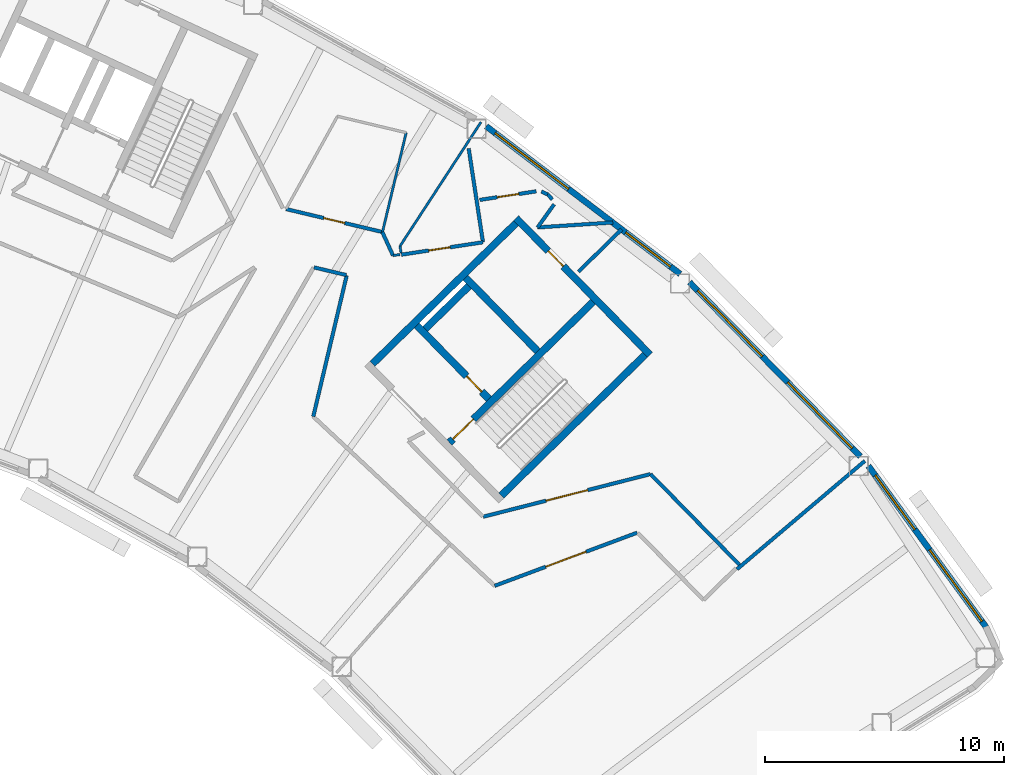
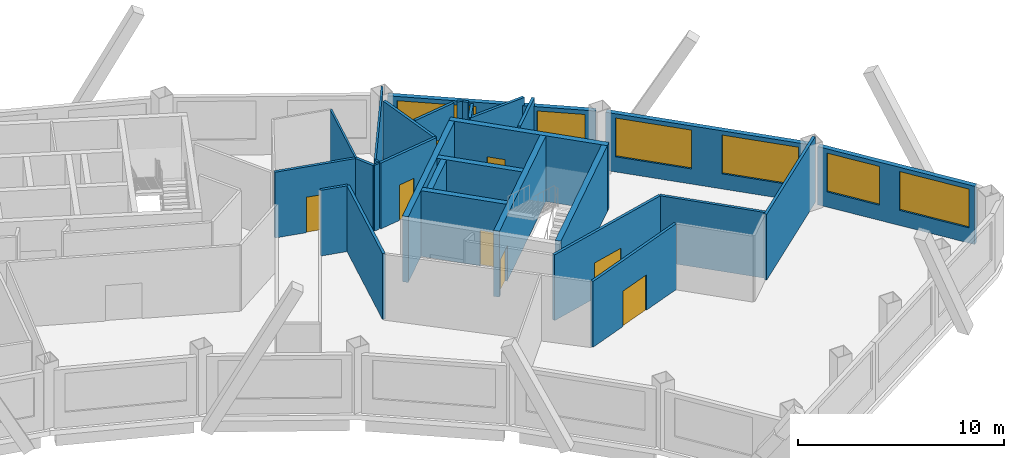
# One storey, part 8 of 13: 30 walls, 8 doors, 6 windows, 14 openings.
"""IFC4 building model written with IfcOpenShell, lengths in metres."""

from ifc_helpers import new_model, si_unit, direction, frame, frame_2d, origin, place, context, subcontext, project, spatial, rectangle, extrude, material, layer, layer_set, type_object, element, fill, save


model = new_model("IFC4")

# Units and contexts
model_context = context("Model", 3, precision=1e-05, world=origin(), true_north=direction((0.0, 1.0)))
body_context = subcontext(model_context, "Body", "Model", "MODEL_VIEW")
ifc_project = project(units=[si_unit("LENGTHUNIT", "METRE"), si_unit("AREAUNIT", "SQUARE_METRE"), si_unit("VOLUMEUNIT", "CUBIC_METRE"), si_unit("PLANEANGLEUNIT", "RADIAN"), si_unit("MASSUNIT", "GRAM", prefix="KILO")], contexts=[model_context])

# Site, building, storey
site_placement = place(None, origin())
site = spatial("IfcSite", under=ifc_project, at=site_placement, CompositionType="ELEMENT")
building_placement = place(site_placement, origin())
building = spatial("IfcBuilding", under=site, at=building_placement, Name="Tuul Gate Civic Tower", CompositionType="ELEMENT")
storey_placement = place(building_placement, frame((0.0, 0.0, 294.199951171875)))
storey = spatial("IfcBuildingStorey", under=building, at=storey_placement, Name="Level 66", CompositionType="ELEMENT", Elevation=294.199951171875)

# Wall, opening, door
ifc_material_1 = material(Name="Concrete C50/60", Category="concrete")
ifc_layer_1 = layer(ifc_material_1, 0.300048828125)
ifc_layer_set_1 = layer_set([ifc_layer_1], Name="Concrete C50/60")
wall_type_1 = type_object("IfcWallType", Name="Core wall C50/60", PredefinedType="SHEAR", material=ifc_layer_set_1)
wall_1_placement = place(storey_placement, frame((47.701904296875, -14.079833984375, 0.0), z_axis=(0.0, 0.0, 1.0), x_axis=(-0.700002721075, 0.714140175657, 0.0)))
wall_1 = element("IfcWall", 1, at=wall_1_placement, inside=storey, type_object=wall_type_1, Name="Core wall", PredefinedType="SHEAR", context=body_context, shape_type="SweptSolid", body=[
    extrude(rectangle(XDim=4.300048828125, YDim=0.300048828125, at=frame_2d((2.14990234375, 0.0))), origin(), (0.0, 0.0, 1.0), 3.900146484375),
])
opening_1_placement = place(wall_1_placement, frame((0.425048828125, 0.0, 0.0)))
opening_1 = element("IfcOpeningElement", 2, at=opening_1_placement, cuts=wall_1, Name="Opening FB-E1A1", PredefinedType="OPENING", context=body_context, shape_type="SweptSolid", body=[
    extrude(rectangle(XDim=0.89990234375, YDim=2.10009765625, at=frame_2d((0.449951171875, 1.050048828125))), frame((0.0, 0.16015625, 0.0), z_axis=(0.0, -1.0, 0.0), x_axis=(1.0, 0.0, 0.0)), (0.0, 0.0, 1.0), 0.320068359375),
])
ifc_material_2 = material(Name="Steel", Category="steel")
door_type_1 = type_object("IfcDoorType", Name="Store door", OperationType="NOTDEFINED", PredefinedType="DOOR", material=ifc_material_2)
door_1_placement = place(opening_1_placement, frame((0.89990234375, 0.0, 0.0), z_axis=(0.0, 0.0, 1.0), x_axis=(-1.0, 0.0, 0.0)))
door_1 = element("IfcDoor", 3, at=door_1_placement, inside=storey, type_object=door_type_1, Name="Store door E1A1", OperationType="SINGLE_SWING_RIGHT", OverallHeight=2.10009765625, OverallWidth=0.89990234375, PredefinedType="DOOR", context=body_context, shape_type="SweptSolid", body=[
    extrude(rectangle(XDim=0.89990234375, YDim=2.10009765625, at=frame_2d((0.449951171875, 1.050048828125))), frame((0.0, 0.02490234375, 0.0), z_axis=(0.0, -1.0, 0.0), x_axis=(1.0, 0.0, 0.0)), (0.0, 0.0, 1.0), 0.050048828125),
])
fill(opening_1, door_1)

# Wall
wall_2_placement = place(storey_placement, frame((49.737060546875, -12.0849609375, 0.0), z_axis=(0.0, 0.0, 1.0), x_axis=(-0.700002721075, 0.714140175657, 0.0)))
element("IfcWall", 4, at=wall_2_placement, inside=storey, type_object=wall_type_1, Name="Core wall", PredefinedType="SHEAR", context=body_context, shape_type="SweptSolid", body=[
    extrude(rectangle(XDim=4.300048828125, YDim=0.300048828125, at=frame_2d((2.14990234375, 0.0))), origin(), (0.0, 0.0, 1.0), 3.900146484375),
])

# Wall, opening, door
wall_3_placement = place(storey_placement, frame((54.43798828125, -12.23779296875, 0.0), z_axis=(0.0, 0.0, 1.0), x_axis=(-0.700021979774, 0.714121297703, 0.0)))
wall_3 = element("IfcWall", 5, at=wall_3_placement, inside=storey, type_object=wall_type_1, Name="Core wall", PredefinedType="SHEAR", context=body_context, shape_type="SweptSolid", body=[
    extrude(rectangle(XDim=8.0, YDim=0.300048828125, at=frame_2d((4.0, 0.0))), origin(), (0.0, 0.0, 1.0), 3.900146484375),
])
opening_2_placement = place(wall_3_placement, frame((5.175048828125, 0.0, 0.0)))
opening_2 = element("IfcOpeningElement", 6, at=opening_2_placement, cuts=wall_3, Name="Opening Y-D18", PredefinedType="OPENING", context=body_context, shape_type="SweptSolid", body=[
    extrude(rectangle(XDim=0.89990234375, YDim=2.10009765625, at=frame_2d((0.449951171875, 1.050048828125))), frame((0.0, 0.16015625, 0.0), z_axis=(0.0, -1.0, 0.0), x_axis=(1.0, 0.0, 0.0)), (0.0, 0.0, 1.0), 0.320068359375),
])
ifc_material_3 = material(Name="Timber door leaf", Category="wood")
door_type_2 = type_object("IfcDoorType", Name="Door D09", OperationType="NOTDEFINED", PredefinedType="DOOR", material=ifc_material_3)
door_2_placement = place(opening_2_placement, origin())
door_2 = element("IfcDoor", 7, at=door_2_placement, inside=storey, type_object=door_type_2, Name="Door Y-D18", OperationType="SINGLE_SWING_LEFT", OverallHeight=2.10009765625, OverallWidth=0.89990234375, PredefinedType="DOOR", context=body_context, shape_type="SweptSolid", body=[
    extrude(rectangle(XDim=0.89990234375, YDim=2.10009765625, at=frame_2d((0.449951171875, 1.050048828125))), frame((0.0, 0.02490234375, 0.0), z_axis=(0.0, -1.0, 0.0), x_axis=(1.0, 0.0, 0.0)), (0.0, 0.0, 1.0), 0.050048828125),
])
fill(opening_2, door_2)

# Wall
wall_4_placement = place(storey_placement, frame((48.227294921875, -18.115966796875, 0.0), z_axis=(0.0, 0.0, 1.0), x_axis=(0.714105315431, 0.700038283577, 0.0)))
element("IfcWall", 8, at=wall_4_placement, inside=storey, type_object=wall_type_1, Name="Core wall", PredefinedType="SHEAR", context=body_context, shape_type="SweptSolid", body=[
    extrude(rectangle(XDim=8.400146484375, YDim=0.300048828125, at=frame_2d((4.2001953125, 0.0))), origin(), (0.0, 0.0, 1.0), 3.900146484375),
])

# Wall, opening, door
wall_5_placement = place(storey_placement, frame((46.05712890625, -15.902099609375, 0.0), z_axis=(0.0, 0.0, 1.0), x_axis=(0.714134086973, 0.700008932674, 0.0)))
wall_5 = element("IfcWall", 9, at=wall_5_placement, inside=storey, type_object=wall_type_1, Name="Core wall", PredefinedType="SHEAR", context=body_context, shape_type="SweptSolid", body=[
    extrude(rectangle(XDim=8.400146484375, YDim=0.300048828125, at=frame_2d((4.2001953125, 0.0))), origin(), (0.0, 0.0, 1.0), 3.900146484375),
])
opening_3_placement = place(wall_5_placement, frame((0.199951171875, 0.0, 0.0)))
opening_3 = element("IfcOpeningElement", 10, at=opening_3_placement, cuts=wall_5, Name="Opening SD-ST-3", PredefinedType="OPENING", context=body_context, shape_type="SweptSolid", body=[
    extrude(rectangle(XDim=1.199951171875, YDim=2.10009765625, at=frame_2d((0.60009765625, 1.050048828125))), frame((0.0, 0.16015625, 0.0), z_axis=(0.0, -1.0, 0.0), x_axis=(1.0, 0.0, 0.0)), (0.0, 0.0, 1.0), 0.320068359375),
])
ifc_material_4 = material(Name="Steel", Category="steel")
door_type_3 = type_object("IfcDoorType", Name="Stair door", OperationType="NOTDEFINED", PredefinedType="DOOR", material=ifc_material_4)
door_3_placement = place(opening_3_placement, origin())
door_3 = element("IfcDoor", 11, at=door_3_placement, inside=storey, type_object=door_type_3, Name="Stair door ST-3", OperationType="SINGLE_SWING_LEFT", OverallHeight=2.10009765625, OverallWidth=1.199951171875, PredefinedType="DOOR", context=body_context, shape_type="SweptSolid", body=[
    extrude(rectangle(XDim=1.199951171875, YDim=2.10009765625, at=frame_2d((0.60009765625, 1.050048828125))), frame((0.0, 0.02490234375, 0.0), z_axis=(0.0, -1.0, 0.0), x_axis=(1.0, 0.0, 0.0)), (0.0, 0.0, 1.0), 0.050048828125),
])
fill(opening_3, door_3)

# Walls
wall_6_placement = place(storey_placement, frame((45.0439453125, -11.154052734375, 0.0), z_axis=(0.0, 0.0, 1.0), x_axis=(0.714108498262, 0.700035036773, 0.0)))
element("IfcWall", 12, at=wall_6_placement, inside=storey, type_object=wall_type_1, Name="Core wall", PredefinedType="SHEAR", context=body_context, shape_type="SweptSolid", body=[
    extrude(rectangle(XDim=2.550048828125, YDim=0.300048828125, at=frame_2d((1.27490234375, 0.0))), origin(), (0.0, 0.0, 1.0), 3.900146484375),
])
wall_7_placement = place(storey_placement, frame((42.837158203125, -12.616943359375, 0.0), z_axis=(0.0, 0.0, 1.0), x_axis=(0.714119844755, 0.700023461983, 0.0)))
element("IfcWall", 13, at=wall_7_placement, inside=storey, type_object=wall_type_1, Name="Core wall", PredefinedType="SHEAR", context=body_context, shape_type="SweptSolid", body=[
    extrude(rectangle(XDim=8.39990234375, YDim=0.300048828125, at=frame_2d((4.199951171875, 0.0))), origin(), (0.0, 0.0, 1.0), 3.900146484375),
])
ifc_material_5 = material(Name="Gypsum board partition")
ifc_layer_2 = layer(ifc_material_5, 0.14990234375)
ifc_layer_set_2 = layer_set([ifc_layer_2], Name="Gypsum board partition")
wall_type_2 = type_object("IfcWallType", Name="Corridor wall P150", PredefinedType="PARTITIONING", material=ifc_layer_set_2)
wall_8_placement = place(storey_placement, frame((54.457763671875, -17.220458984375, 0.0), z_axis=(0.0, 0.0, 1.0), x_axis=(0.699987707347, -0.714154891857, 0.0)))
element("IfcWall", 14, at=wall_8_placement, inside=storey, type_object=wall_type_2, Name="p004", PredefinedType="PARTITIONING", context=body_context, shape_type="SweptSolid", body=[
    extrude(rectangle(XDim=5.3076171875, YDim=0.14990234375, at=frame_2d((2.65380859375, 0.0))), origin(), (0.0, 0.0, 1.0), 3.900146484375),
])

# Wall, opening, door
wall_9_placement = place(storey_placement, frame((47.466796875, -19.002685546875, 0.0), z_axis=(0.0, 0.0, 1.0), x_axis=(0.968988956824, 0.247104029821, 0.0)))
wall_9 = element("IfcWall", 15, at=wall_9_placement, inside=storey, type_object=wall_type_2, Name="p005", PredefinedType="PARTITIONING", context=body_context, shape_type="SweptSolid", body=[
    extrude(rectangle(XDim=7.21337890625, YDim=0.14990234375, at=frame_2d((3.606689453125, 0.0))), origin(), (0.0, 0.0, 1.0), 3.900146484375),
])
opening_4_placement = place(wall_9_placement, frame((2.706787109375, 0.0, 0.0)))
opening_4 = element("IfcOpeningElement", 16, at=opening_4_placement, cuts=wall_9, Name="Opening Y-D01", PredefinedType="OPENING", context=body_context, shape_type="SweptSolid", body=[
    extrude(rectangle(XDim=1.800048828125, YDim=2.10009765625, at=frame_2d((0.89990234375, 1.050048828125))), frame((0.0, 0.0849609375, 0.0), z_axis=(0.0, -1.0, 0.0), x_axis=(1.0, 0.0, 0.0)), (0.0, 0.0, 1.0), 0.169921875),
])
ifc_material_6 = material(Name="Timber door leaf, double", Category="wood")
door_type_4 = type_object("IfcDoorType", Name="Door D18", OperationType="DOUBLE_DOOR_SINGLE_SWING", PredefinedType="DOOR", material=ifc_material_6)
door_4_placement = place(opening_4_placement, origin())
door_4 = element("IfcDoor", 17, at=door_4_placement, inside=storey, type_object=door_type_4, Name="Door Y-D01", OperationType="DOUBLE_DOOR_SINGLE_SWING", OverallHeight=2.10009765625, OverallWidth=1.800048828125, PredefinedType="DOOR", context=body_context, shape_type="SweptSolid", body=[
    extrude(rectangle(XDim=1.800048828125, YDim=2.10009765625, at=frame_2d((0.89990234375, 1.050048828125))), frame((0.0, 0.02490234375, 0.0), z_axis=(0.0, -1.0, 0.0), x_axis=(1.0, 0.0, 0.0)), (0.0, 0.0, 1.0), 0.050048828125),
])
fill(opening_4, door_4)

# Walls
wall_10_placement = place(storey_placement, frame((51.4501953125, -8.76025390625, 0.0), z_axis=(0.0, 0.0, 1.0), x_axis=(0.714081368042, 0.700062711345, 0.0)))
element("IfcWall", 18, at=wall_10_placement, inside=storey, type_object=wall_type_2, Name="p008", PredefinedType="PARTITIONING", context=body_context, shape_type="SweptSolid", body=[
    extrude(rectangle(XDim=2.525146484375, YDim=0.14990234375, at=frame_2d((1.2626953125, 0.0))), origin(), (0.0, 0.0, 1.0), 3.900146484375),
])
wall_11_placement = place(storey_placement, frame((58.072265625, -21.19677734375, 0.0), z_axis=(0.0, 0.0, 1.0), x_axis=(0.762848951286, 0.646576737535, 0.0)))
element("IfcWall", 19, at=wall_11_placement, inside=storey, type_object=wall_type_2, Name="p009", PredefinedType="PARTITIONING", context=body_context, shape_type="SweptSolid", body=[
    extrude(rectangle(XDim=7.00048828125, YDim=0.14990234375, at=frame_2d((3.500244140625, 0.0))), origin(), (0.0, 0.0, 1.0), 3.900146484375),
])

# Wall, opening, door
wall_12_placement = place(storey_placement, frame((44.044921875, -8.05322265625, 0.0), z_axis=(0.0, 0.0, 1.0), x_axis=(0.988596403611, 0.150589344802, 0.0)))
wall_12 = element("IfcWall", 20, at=wall_12_placement, inside=storey, type_object=wall_type_2, Name="p012", PredefinedType="PARTITIONING", context=body_context, shape_type="SweptSolid", body=[
    extrude(rectangle(XDim=3.449951171875, YDim=0.14990234375, at=frame_2d((1.72509765625, 0.0))), origin(), (0.0, 0.0, 1.0), 3.900146484375),
])
opening_5_placement = place(wall_12_placement, frame((1.159912109375, 0.0, 0.0)))
opening_5 = element("IfcOpeningElement", 21, at=opening_5_placement, cuts=wall_12, Name="Opening Y-D02", PredefinedType="OPENING", context=body_context, shape_type="SweptSolid", body=[
    extrude(rectangle(XDim=0.89990234375, YDim=2.10009765625, at=frame_2d((0.449951171875, 1.050048828125))), frame((0.0, 0.0849609375, 0.0), z_axis=(0.0, -1.0, 0.0), x_axis=(1.0, 0.0, 0.0)), (0.0, 0.0, 1.0), 0.169921875),
])
door_5_placement = place(opening_5_placement, origin())
door_5 = element("IfcDoor", 22, at=door_5_placement, inside=storey, type_object=door_type_2, Name="Door Y-D02", OperationType="SINGLE_SWING_LEFT", OverallHeight=2.10009765625, OverallWidth=0.89990234375, PredefinedType="DOOR", context=body_context, shape_type="SweptSolid", body=[
    extrude(rectangle(XDim=0.89990234375, YDim=2.10009765625, at=frame_2d((0.449951171875, 1.050048828125))), frame((0.0, 0.02490234375, 0.0), z_axis=(0.0, -1.0, 0.0), x_axis=(1.0, 0.0, 0.0)), (0.0, 0.0, 1.0), 0.050048828125),
])
fill(opening_5, door_5)

# Wall
wall_13_placement = place(storey_placement, frame((49.737060546875, -6.91455078125, 0.0), z_axis=(0.0, 0.0, 1.0), x_axis=(0.997841736388, 0.065664824079, 0.0)))
element("IfcWall", 23, at=wall_13_placement, inside=storey, type_object=wall_type_2, Name="p013", PredefinedType="PARTITIONING", context=body_context, shape_type="SweptSolid", body=[
    extrude(rectangle(XDim=3.149169921875, YDim=0.14990234375, at=frame_2d((1.57470703125, 0.0))), origin(), (0.0, 0.0, 1.0), 3.900146484375),
])

# Wall, opening, door
wall_14_placement = place(storey_placement, frame((39.226806640625, -6.146240234375, 0.0), z_axis=(0.0, 0.0, 1.0), x_axis=(0.972722701554, -0.231971002242, 0.0)))
wall_14 = element("IfcWall", 24, at=wall_14_placement, inside=storey, type_object=wall_type_2, Name="p017", PredefinedType="PARTITIONING", context=body_context, shape_type="SweptSolid", body=[
    extrude(rectangle(XDim=4.1435546875, YDim=0.14990234375, at=frame_2d((2.07177734375, 0.0))), origin(), (0.0, 0.0, 1.0), 3.900146484375),
])
opening_6_placement = place(wall_14_placement, frame((1.616943359375, 0.0, 0.0)))
opening_6 = element("IfcOpeningElement", 25, at=opening_6_placement, cuts=wall_14, Name="Opening Y-D03", PredefinedType="OPENING", context=body_context, shape_type="SweptSolid", body=[
    extrude(rectangle(XDim=0.89990234375, YDim=2.10009765625, at=frame_2d((0.449951171875, 1.050048828125))), frame((0.0, 0.0849609375, 0.0), z_axis=(0.0, -1.0, 0.0), x_axis=(1.0, 0.0, 0.0)), (0.0, 0.0, 1.0), 0.169921875),
])
door_6_placement = place(opening_6_placement, origin())
door_6 = element("IfcDoor", 26, at=door_6_placement, inside=storey, type_object=door_type_2, Name="Door Y-D03", OperationType="SINGLE_SWING_RIGHT", OverallHeight=2.10009765625, OverallWidth=0.89990234375, PredefinedType="DOOR", context=body_context, shape_type="SweptSolid", body=[
    extrude(rectangle(XDim=0.89990234375, YDim=2.10009765625, at=frame_2d((0.449951171875, 1.050048828125))), frame((0.0, 0.02490234375, 0.0), z_axis=(0.0, -1.0, 0.0), x_axis=(1.0, 0.0, 0.0)), (0.0, 0.0, 1.0), 0.050048828125),
])
fill(opening_6, door_6)

# Wall
wall_15_placement = place(storey_placement, frame((43.247802734375, -7.105224609375, 0.0), z_axis=(0.0, 0.0, 1.0), x_axis=(0.416041876588, -0.909345455218, 0.0)))
element("IfcWall", 27, at=wall_15_placement, inside=storey, type_object=wall_type_2, Name="p018", PredefinedType="PARTITIONING", context=body_context, shape_type="SweptSolid", body=[
    extrude(rectangle(XDim=1.083740234375, YDim=0.14990234375, at=frame_2d((0.5419921875, 0.0))), origin(), (0.0, 0.0, 1.0), 3.900146484375),
])

# Wall, opening, door
wall_16_placement = place(storey_placement, frame((47.9443359375, -21.889892578125, 0.0), z_axis=(0.0, 0.0, 1.0), x_axis=(0.936968482733, 0.349413884046, 0.0)))
wall_16 = element("IfcWall", 28, at=wall_16_placement, inside=storey, type_object=wall_type_2, Name="p050", PredefinedType="PARTITIONING", context=body_context, shape_type="SweptSolid", body=[
    extrude(rectangle(XDim=6.356201171875, YDim=0.14990234375, at=frame_2d((3.17822265625, 0.0))), origin(), (0.0, 0.0, 1.0), 3.900146484375),
])
opening_7_placement = place(wall_16_placement, frame((2.278076171875, 0.0, 0.0)))
opening_7 = element("IfcOpeningElement", 29, at=opening_7_placement, cuts=wall_16, Name="Opening Y-D07", PredefinedType="OPENING", context=body_context, shape_type="SweptSolid", body=[
    extrude(rectangle(XDim=1.800048828125, YDim=2.10009765625, at=frame_2d((0.89990234375, 1.050048828125))), frame((0.0, 0.0849609375, 0.0), z_axis=(0.0, -1.0, 0.0), x_axis=(1.0, 0.0, 0.0)), (0.0, 0.0, 1.0), 0.169921875),
])
door_7_placement = place(opening_7_placement, frame((1.800048828125, 0.0, 0.0), z_axis=(0.0, 0.0, 1.0), x_axis=(-1.0, 0.0, 0.0)))
door_7 = element("IfcDoor", 30, at=door_7_placement, inside=storey, type_object=door_type_4, Name="Door Y-D07", OperationType="DOUBLE_DOOR_SINGLE_SWING", OverallHeight=2.10009765625, OverallWidth=1.800048828125, PredefinedType="DOOR", context=body_context, shape_type="SweptSolid", body=[
    extrude(rectangle(XDim=1.800048828125, YDim=2.10009765625, at=frame_2d((0.900146484375, 1.050048828125))), frame((0.0, 0.02490234375, 0.0), z_axis=(0.0, -1.0, 0.0), x_axis=(1.0, 0.0, 0.0)), (0.0, 0.0, 1.0), 0.050048828125),
])
fill(opening_7, door_7)

# Walls
wall_17_placement = place(storey_placement, frame((40.397216796875, -8.583984375, 0.0), z_axis=(0.0, 0.0, 1.0), x_axis=(0.972749430583, -0.231858890922, 0.0)))
element("IfcWall", 31, at=wall_17_placement, inside=storey, type_object=wall_type_2, Name="p059", PredefinedType="PARTITIONING", context=body_context, shape_type="SweptSolid", body=[
    extrude(rectangle(XDim=1.384765625, YDim=0.14990234375, at=frame_2d((0.6923828125, 0.0))), origin(), (0.0, 0.0, 1.0), 3.900146484375),
])
wall_18_placement = place(storey_placement, frame((40.364501953125, -14.81640625, 0.0), z_axis=(0.0, 0.0, 1.0), x_axis=(0.230468393263, 0.973079811581, 0.0)))
element("IfcWall", 32, at=wall_18_placement, inside=storey, type_object=wall_type_2, Name="p060", PredefinedType="PARTITIONING", context=body_context, shape_type="SweptSolid", body=[
    extrude(rectangle(XDim=6.05517578125, YDim=0.14990234375, at=frame_2d((3.027587890625, 0.0))), origin(), (0.0, 0.0, 1.0), 3.900146484375),
])
wall_19_placement = place(storey_placement, frame((46.8583984375, -3.61328125, 0.0), z_axis=(0.0, 0.0, 1.0), x_axis=(0.150576717592, -0.988598326986, 0.0)))
element("IfcWall", 33, at=wall_19_placement, inside=storey, type_object=wall_type_2, Name="p091", PredefinedType="PARTITIONING", context=body_context, shape_type="SweptSolid", body=[
    extrude(rectangle(XDim=3.9658203125, YDim=0.14990234375, at=frame_2d((1.98291015625, 0.0))), origin(), (0.0, 0.0, 1.0), 3.900146484375),
])

# Wall, opening, door
wall_20_placement = place(storey_placement, frame((47.319580078125, -5.76416015625, 0.0), z_axis=(0.0, 0.0, 1.0), x_axis=(0.988598667158, 0.150574484203, 0.0)))
wall_20 = element("IfcWall", 34, at=wall_20_placement, inside=storey, type_object=wall_type_2, Name="p092", PredefinedType="PARTITIONING", context=body_context, shape_type="SweptSolid", body=[
    extrude(rectangle(XDim=2.388427734375, YDim=0.14990234375, at=frame_2d((1.1943359375, 0.0))), origin(), (0.0, 0.0, 1.0), 3.900146484375),
])
opening_8_placement = place(wall_20_placement, frame((0.744140625, 0.0, 0.0)))
opening_8 = element("IfcOpeningElement", 35, at=opening_8_placement, cuts=wall_20, Name="Opening Y-D15", PredefinedType="OPENING", context=body_context, shape_type="SweptSolid", body=[
    extrude(rectangle(XDim=0.89990234375, YDim=2.10009765625, at=frame_2d((0.449951171875, 1.050048828125))), frame((0.0, 0.0849609375, 0.0), z_axis=(0.0, -1.0, 0.0), x_axis=(1.0, 0.0, 0.0)), (0.0, 0.0, 1.0), 0.169921875),
])
door_8_placement = place(opening_8_placement, origin())
door_8 = element("IfcDoor", 36, at=door_8_placement, inside=storey, type_object=door_type_2, Name="Door Y-D15", OperationType="SINGLE_SWING_LEFT", OverallHeight=2.10009765625, OverallWidth=0.89990234375, PredefinedType="DOOR", context=body_context, shape_type="SweptSolid", body=[
    extrude(rectangle(XDim=0.89990234375, YDim=2.10009765625, at=frame_2d((0.449951171875, 1.050048828125))), frame((0.0, 0.02490234375, 0.0), z_axis=(0.0, -1.0, 0.0), x_axis=(1.0, 0.0, 0.0)), (0.0, 0.0, 1.0), 0.050048828125),
])
fill(opening_8, door_8)

# Walls
wall_21_placement = place(storey_placement, frame((49.895751953125, -5.4130859375, 0.0), z_axis=(0.0, 0.0, 1.0), x_axis=(0.90980768744, -0.415030085505, 0.0)))
element("IfcWall", 37, at=wall_21_placement, inside=storey, type_object=wall_type_2, Name="p093", PredefinedType="PARTITIONING", context=body_context, shape_type="SweptSolid", body=[
    extrude(rectangle(XDim=0.28466796875, YDim=0.14990234375, at=frame_2d((0.142333984375, 0.0))), origin(), (0.0, 0.0, 1.0), 3.900146484375),
])
wall_22_placement = place(storey_placement, frame((50.15478515625, -5.53125, 0.0), z_axis=(0.0, 0.0, 1.0), x_axis=(0.681984488791, -0.731366636543, 0.0)))
element("IfcWall", 38, at=wall_22_placement, inside=storey, type_object=wall_type_2, Name="p094", PredefinedType="PARTITIONING", context=body_context, shape_type="SweptSolid", body=[
    extrude(rectangle(XDim=0.286865234375, YDim=0.14990234375, at=frame_2d((0.1435546875, 0.0))), origin(), (0.0, 0.0, 1.0), 3.900146484375),
])
wall_23_placement = place(storey_placement, frame((50.427490234375, -5.949462890625, 0.0), z_axis=(0.0, 0.0, 1.0), x_axis=(-0.581744013419, -0.813371933897, 0.0)))
element("IfcWall", 39, at=wall_23_placement, inside=storey, type_object=wall_type_2, Name="p095", PredefinedType="PARTITIONING", context=body_context, shape_type="SweptSolid", body=[
    extrude(rectangle(XDim=1.186767578125, YDim=0.14990234375, at=frame_2d((0.59326171875, 0.0))), origin(), (0.0, 0.0, 1.0), 3.900146484375),
])

# Wall, openings, windows
ifc_material_7 = material(Name="Precast concrete C40/50", Category="concrete")
ifc_layer_3 = layer(ifc_material_7, 0.25)
ifc_layer_set_3 = layer_set([ifc_layer_3], Name="Precast concrete C40/50")
wall_type_3 = type_object("IfcWallType", Name="External wall", PredefinedType="STANDARD", material=ifc_layer_set_3)
wall_24_placement = place(storey_placement, frame((68.47802734375, -23.61376953125, 0.0), z_axis=(0.0, 0.0, 1.0), x_axis=(-0.589827901293, 0.807528975862, 0.0)))
wall_24 = element("IfcWall", 40, at=wall_24_placement, inside=storey, type_object=wall_type_3, Name="External wall", PredefinedType="STANDARD", context=body_context, shape_type="SweptSolid", body=[
    extrude(rectangle(XDim=8.337890625, YDim=0.25, at=frame_2d((4.1689453125, 0.0))), origin(), (0.0, 0.0, 1.0), 3.449951171875),
])
opening_9_placement = place(wall_24_placement, frame((0.301025390625, 0.0, 0.89990234375)))
opening_9 = element("IfcOpeningElement", 41, at=opening_9_placement, cuts=wall_24, Name="Opening W21", PredefinedType="OPENING", context=body_context, shape_type="SweptSolid", body=[
    extrude(rectangle(XDim=3.699951171875, YDim=2.300048828125, at=frame_2d((1.85009765625, 1.14990234375))), frame((0.0, 0.135009765625, 0.0), z_axis=(0.0, -1.0, 0.0), x_axis=(1.0, 0.0, 0.0)), (0.0, 0.0, 1.0), 0.27001953125),
])
opening_10_placement = place(wall_24_placement, frame((5.052978515625, 0.0, 0.89990234375)))
opening_10 = element("IfcOpeningElement", 42, at=opening_10_placement, cuts=wall_24, Name="Opening W23", PredefinedType="OPENING", context=body_context, shape_type="SweptSolid", body=[
    extrude(rectangle(XDim=2.800048828125, YDim=2.300048828125, at=frame_2d((1.39990234375, 1.14990234375))), frame((0.0, 0.135009765625, 0.0), z_axis=(0.0, -1.0, 0.0), x_axis=(1.0, 0.0, 0.0)), (0.0, 0.0, 1.0), 0.27001953125),
])
ifc_material_8 = material(Name="Glass", Category="glass")
window_type_1 = type_object("IfcWindowType", Name="Window W21 3700 x 2300", PartitioningType="SINGLE_PANEL", PredefinedType="WINDOW", material=ifc_material_8)
window_1_placement = place(opening_9_placement, origin())
window_1 = element("IfcWindow", 43, at=window_1_placement, inside=storey, type_object=window_type_1, Name="Window", OverallHeight=2.300048828125, OverallWidth=3.699951171875, PartitioningType="SINGLE_PANEL", PredefinedType="WINDOW", context=body_context, shape_type="SweptSolid", body=[
    extrude(rectangle(XDim=3.699951171875, YDim=2.300048828125, at=frame_2d((1.85009765625, 1.14990234375))), frame((0.0, 0.030029296875, 0.0), z_axis=(0.0, -1.0, 0.0), x_axis=(1.0, 0.0, 0.0)), (0.0, 0.0, 1.0), 0.06005859375),
])
fill(opening_9, window_1)
ifc_material_9 = material(Name="Glass", Category="glass")
window_type_2 = type_object("IfcWindowType", Name="Window W23 2800 x 2300", PartitioningType="SINGLE_PANEL", PredefinedType="WINDOW", material=ifc_material_9)
window_2_placement = place(opening_10_placement, origin())
window_2 = element("IfcWindow", 44, at=window_2_placement, inside=storey, type_object=window_type_2, Name="Window", OverallHeight=2.300048828125, OverallWidth=2.800048828125, PartitioningType="SINGLE_PANEL", PredefinedType="WINDOW", context=body_context, shape_type="SweptSolid", body=[
    extrude(rectangle(XDim=2.800048828125, YDim=2.300048828125, at=frame_2d((1.39990234375, 1.14990234375))), frame((0.0, 0.030029296875, 0.0), z_axis=(0.0, -1.0, 0.0), x_axis=(1.0, 0.0, 0.0)), (0.0, 0.0, 1.0), 0.06005859375),
])
fill(opening_10, window_2)

wall_25_placement = place(storey_placement, frame((63.22314453125, -16.48388671875, 0.0), z_axis=(0.0, 0.0, 1.0), x_axis=(-0.700055609081, 0.714088330807, 0.0)))
wall_25 = element("IfcWall", 45, at=wall_25_placement, inside=storey, type_object=wall_type_3, Name="External wall", PredefinedType="STANDARD", context=body_context, shape_type="SweptSolid", body=[
    extrude(rectangle(XDim=10.1953125, YDim=0.25, at=frame_2d((5.09765625, 0.0))), origin(), (0.0, 0.0, 1.0), 3.449951171875),
])
opening_11_placement = place(wall_25_placement, frame((0.48681640625, 0.0, 0.89990234375)))
opening_11 = element("IfcOpeningElement", 46, at=opening_11_placement, cuts=wall_25, Name="Opening W22", PredefinedType="OPENING", context=body_context, shape_type="SweptSolid", body=[
    extrude(rectangle(XDim=3.85009765625, YDim=2.300048828125, at=frame_2d((1.925048828125, 1.14990234375))), frame((0.0, 0.135009765625, 0.0), z_axis=(0.0, -1.0, 0.0), x_axis=(1.0, 0.0, 0.0)), (0.0, 0.0, 1.0), 0.27001953125),
])
opening_12_placement = place(wall_25_placement, frame((5.85791015625, 0.0, 0.89990234375)))
opening_12 = element("IfcOpeningElement", 47, at=opening_12_placement, cuts=wall_25, Name="Opening W22", PredefinedType="OPENING", context=body_context, shape_type="SweptSolid", body=[
    extrude(rectangle(XDim=3.85009765625, YDim=2.300048828125, at=frame_2d((1.925048828125, 1.14990234375))), frame((0.0, 0.135009765625, 0.0), z_axis=(0.0, -1.0, 0.0), x_axis=(1.0, 0.0, 0.0)), (0.0, 0.0, 1.0), 0.27001953125),
])
ifc_material_10 = material(Name="Glass", Category="glass")
window_type_3 = type_object("IfcWindowType", Name="Window W22 3850 x 2300", PartitioningType="SINGLE_PANEL", PredefinedType="WINDOW", material=ifc_material_10)
window_3_placement = place(opening_11_placement, origin())
window_3 = element("IfcWindow", 48, at=window_3_placement, inside=storey, type_object=window_type_3, Name="Window", OverallHeight=2.300048828125, OverallWidth=3.85009765625, PartitioningType="SINGLE_PANEL", PredefinedType="WINDOW", context=body_context, shape_type="SweptSolid", body=[
    extrude(rectangle(XDim=3.85009765625, YDim=2.300048828125, at=frame_2d((1.925048828125, 1.14990234375))), frame((0.0, 0.030029296875, 0.0), z_axis=(0.0, -1.0, 0.0), x_axis=(1.0, 0.0, 0.0)), (0.0, 0.0, 1.0), 0.06005859375),
])
fill(opening_11, window_3)
window_4_placement = place(opening_12_placement, origin())
window_4 = element("IfcWindow", 49, at=window_4_placement, inside=storey, type_object=window_type_3, Name="Window", OverallHeight=2.300048828125, OverallWidth=3.85009765625, PartitioningType="SINGLE_PANEL", PredefinedType="WINDOW", context=body_context, shape_type="SweptSolid", body=[
    extrude(rectangle(XDim=3.85009765625, YDim=2.300048828125, at=frame_2d((1.925048828125, 1.14990234375))), frame((0.0, 0.030029296875, 0.0), z_axis=(0.0, -1.0, 0.0), x_axis=(1.0, 0.0, 0.0)), (0.0, 0.0, 1.0), 0.06005859375),
])
fill(opening_12, window_4)

wall_26_placement = place(storey_placement, frame((55.6962890625, -8.85888671875, 0.0), z_axis=(0.0, 0.0, 1.0), x_axis=(-0.795610476584, 0.605808525485, 0.0)))
wall_26 = element("IfcWall", 50, at=wall_26_placement, inside=storey, type_object=wall_type_3, Name="External wall", PredefinedType="STANDARD", context=body_context, shape_type="SweptSolid", body=[
    extrude(rectangle(XDim=10.1875, YDim=0.25, at=frame_2d((5.09375, 0.0))), origin(), (0.0, 0.0, 1.0), 3.449951171875),
])
opening_13_placement = place(wall_26_placement, frame((5.865478515625, 0.0, 0.89990234375)))
opening_13 = element("IfcOpeningElement", 51, at=opening_13_placement, cuts=wall_26, Name="Opening W22", PredefinedType="OPENING", context=body_context, shape_type="SweptSolid", body=[
    extrude(rectangle(XDim=3.85009765625, YDim=2.300048828125, at=frame_2d((1.925048828125, 1.14990234375))), frame((0.0, 0.135009765625, 0.0), z_axis=(0.0, -1.0, 0.0), x_axis=(1.0, 0.0, 0.0)), (0.0, 0.0, 1.0), 0.27001953125),
])
opening_14_placement = place(wall_26_placement, frame((0.509033203125, 0.0, 0.89990234375)))
opening_14 = element("IfcOpeningElement", 52, at=opening_14_placement, cuts=wall_26, Name="Opening W52", PredefinedType="OPENING", context=body_context, shape_type="SweptSolid", body=[
    extrude(rectangle(XDim=2.35009765625, YDim=2.300048828125, at=frame_2d((1.175048828125, 1.14990234375))), frame((0.0, 0.135009765625, 0.0), z_axis=(0.0, -1.0, 0.0), x_axis=(1.0, 0.0, 0.0)), (0.0, 0.0, 1.0), 0.27001953125),
])
ifc_material_11 = material(Name="Glass", Category="glass")
window_type_4 = type_object("IfcWindowType", Name="Window 2350 x 2300", PartitioningType="SINGLE_PANEL", PredefinedType="WINDOW", material=ifc_material_11)
window_5_placement = place(opening_14_placement, origin())
window_5 = element("IfcWindow", 53, at=window_5_placement, inside=storey, type_object=window_type_4, Name="Window", OverallHeight=2.300048828125, OverallWidth=2.35009765625, PartitioningType="SINGLE_PANEL", PredefinedType="WINDOW", context=body_context, shape_type="SweptSolid", body=[
    extrude(rectangle(XDim=2.35009765625, YDim=2.300048828125, at=frame_2d((1.175048828125, 1.14990234375))), frame((0.0, 0.030029296875, 0.0), z_axis=(0.0, -1.0, 0.0), x_axis=(1.0, 0.0, 0.0)), (0.0, 0.0, 1.0), 0.06005859375),
])
fill(opening_14, window_5)
window_6_placement = place(opening_13_placement, origin())
window_6 = element("IfcWindow", 54, at=window_6_placement, inside=storey, type_object=window_type_3, Name="Window", OverallHeight=2.300048828125, OverallWidth=3.85009765625, PartitioningType="SINGLE_PANEL", PredefinedType="WINDOW", context=body_context, shape_type="SweptSolid", body=[
    extrude(rectangle(XDim=3.85009765625, YDim=2.300048828125, at=frame_2d((1.925048828125, 1.14990234375))), frame((0.0, 0.030029296875, 0.0), z_axis=(0.0, -1.0, 0.0), x_axis=(1.0, 0.0, 0.0)), (0.0, 0.0, 1.0), 0.06005859375),
])
fill(opening_13, window_6)

# Walls
ifc_material_12 = material(Name="Gypsum board partition")
ifc_layer_4 = layer(ifc_material_12, 0.10009765625)
ifc_layer_set_4 = layer_set([ifc_layer_4], Name="Gypsum board partition")
wall_type_4 = type_object("IfcWallType", Name="Partition P100", PredefinedType="PARTITIONING", material=ifc_layer_set_4)
wall_27_placement = place(storey_placement, frame((43.989990234375, -7.692626953125, 0.0), z_axis=(0.0, 0.0, 1.0), x_axis=(0.546740898534, 0.837301851109, 0.0)))
element("IfcWall", 55, at=wall_27_placement, inside=storey, type_object=wall_type_4, Name="p010", PredefinedType="PARTITIONING", context=body_context, shape_type="SweptSolid", body=[
    extrude(rectangle(XDim=6.18505859375, YDim=0.10009765625, at=frame_2d((3.092529296875, 0.0))), origin(), (0.0, 0.0, 1.0), 3.900146484375),
])
wall_28_placement = place(storey_placement, frame((43.25439453125, -7.116455078125, 0.0), z_axis=(0.0, 0.0, 1.0), x_axis=(0.231833944955, 0.972755376221, 0.0)))
element("IfcWall", 56, at=wall_28_placement, inside=storey, type_object=wall_type_4, Name="p016", PredefinedType="PARTITIONING", context=body_context, shape_type="SweptSolid", body=[
    extrude(rectangle(XDim=4.278564453125, YDim=0.10009765625, at=frame_2d((2.13916015625, 0.0))), origin(), (0.0, 0.0, 1.0), 3.900146484375),
])
wall_29_placement = place(storey_placement, frame((43.989990234375, -7.692626953125, 0.0), z_axis=(0.0, 0.0, 1.0), x_axis=(0.150853826342, -0.988556079885, 0.0)))
element("IfcWall", 57, at=wall_29_placement, inside=storey, type_object=wall_type_4, Name="p096", PredefinedType="PARTITIONING", context=body_context, shape_type="SweptSolid", body=[
    extrude(rectangle(XDim=0.289794921875, YDim=0.10009765625, at=frame_2d((0.14501953125, 0.0))), origin(), (0.0, 0.0, 1.0), 3.900146484375),
])
wall_30_placement = place(storey_placement, frame((43.69873046875, -8.0908203125, 0.0), z_axis=(0.0, 0.0, 1.0), x_axis=(0.988560456351, 0.150825144253, 0.0)))
element("IfcWall", 58, at=wall_30_placement, inside=storey, type_object=wall_type_4, Name="p098", PredefinedType="PARTITIONING", context=body_context, shape_type="SweptSolid", body=[
    extrude(rectangle(XDim=0.2978515625, YDim=0.10009765625, at=frame_2d((0.14892578125, 0.0))), origin(), (0.0, 0.0, 1.0), 3.900146484375),
])

save(model, "model.ifc")
